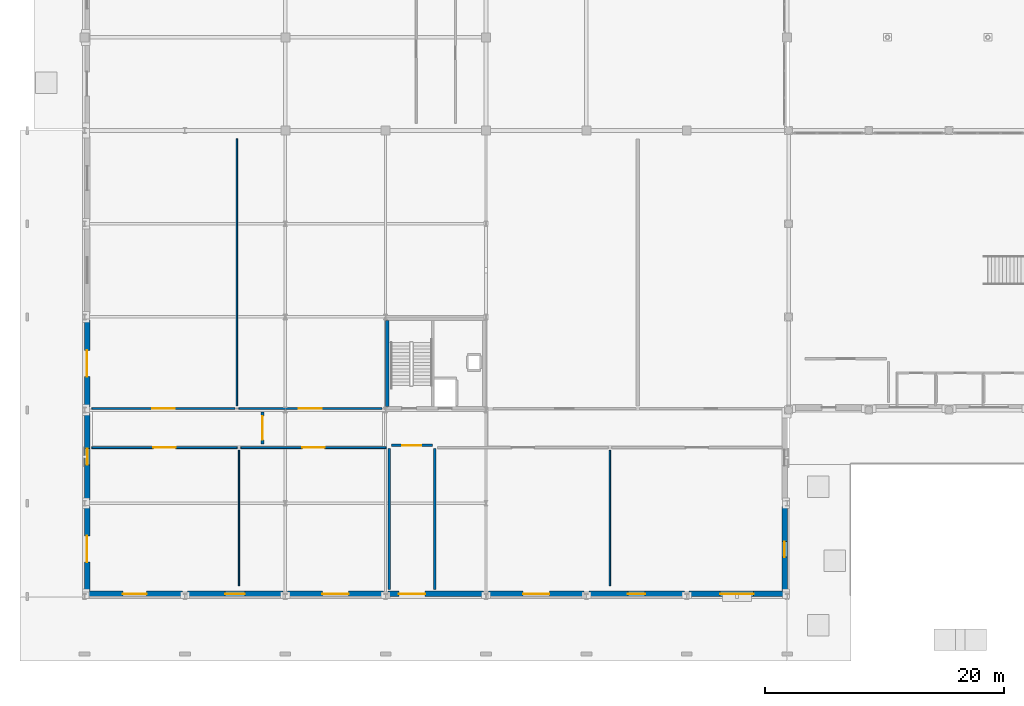
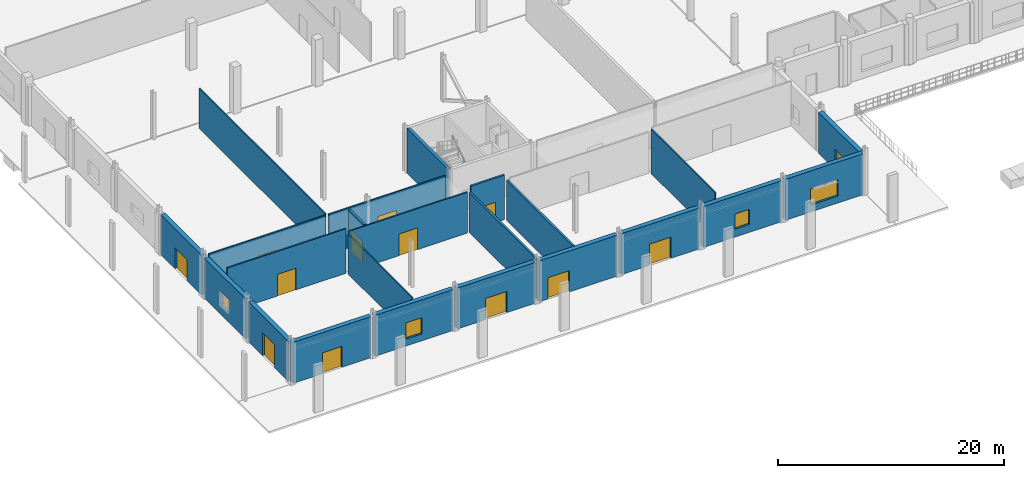
# One storey, part 46 of 80: 23 walls, 13 doors, 4 windows, 17 openings.
"""IFC4 building model written with IfcOpenShell, lengths in metres."""

from ifc_helpers import new_model, si_unit, direction, frame, frame_2d, origin, place, context, subcontext, project, spatial, rectangle, extrude, material, layer, layer_set, type_object, element, fill, save


model = new_model("IFC4")

# Units and contexts
model_context = context("Model", 3, precision=1e-05, world=origin(), true_north=direction((0.0, 1.0)))
body_context = subcontext(model_context, "Body", "Model", "MODEL_VIEW")
ifc_project = project(units=[si_unit("LENGTHUNIT", "METRE"), si_unit("AREAUNIT", "SQUARE_METRE"), si_unit("VOLUMEUNIT", "CUBIC_METRE"), si_unit("PLANEANGLEUNIT", "RADIAN"), si_unit("MASSUNIT", "GRAM", prefix="KILO")], contexts=[model_context])

# Site, building, storey
site_placement = place(None, origin())
site = spatial("IfcSite", under=ifc_project, at=site_placement, CompositionType="ELEMENT")
building_placement = place(site_placement, origin())
building = spatial("IfcBuilding", under=site, at=building_placement, Name="Nabrawat Pavilion Hospital", CompositionType="ELEMENT")
storey_placement = place(building_placement, origin())
storey = spatial("IfcBuildingStorey", under=building, at=storey_placement, Name="L00", CompositionType="ELEMENT", Elevation=0.0)

# Wall, opening, door
ifc_material_1 = material(Name="Gypsum Fireboard on Steel Stud", Category="steel")
ifc_layer_1 = layer(ifc_material_1, 0.14990234375, Name="Gypsum Fireboard on Steel Stud")
ifc_layer_set_1 = layer_set([ifc_layer_1], Name="Gypsum Fireboard on Steel Stud")
wall_type_1 = type_object("IfcWallType", Name="Clinical Corridor Smoke-Barrier Wall 150", PredefinedType="PARTITIONING", material=ifc_layer_set_1)
wall_1_placement = place(storey_placement, frame((0.6201171875, 12.4599609375, 0.0), z_axis=(0.0, 0.0, 1.0), x_axis=(1.0, 0.0, 0.0)))
wall_1 = element("IfcWall", 1, at=wall_1_placement, inside=storey, type_object=wall_type_1, Name="L00 Emergency Department Resuscitation Trauma Bay L00-01 Front Partition", PredefinedType="PARTITIONING", context=body_context, shape_type="SweptSolid", body=[
    extrude(rectangle(XDim=12.14990234375, YDim=0.14990234375, at=frame_2d((6.074951171875, 0.0))), origin(), (0.0, 0.0, 1.0), 4.820068359375),
])
opening_1_placement = place(wall_1_placement, frame((5.125, 0.0, 0.0)))
opening_1 = element("IfcOpeningElement", 2, at=opening_1_placement, cuts=wall_1, Name="Opening D-ED", PredefinedType="OPENING", context=body_context, shape_type="SweptSolid", body=[
    extrude(rectangle(XDim=1.89990234375, YDim=2.35009765625, at=frame_2d((0.949951171875, 1.175048828125))), frame((0.0, 0.0849609375, 0.0), z_axis=(0.0, -1.0, 0.0), x_axis=(1.0, 0.0, 0.0)), (0.0, 0.0, 1.0), 0.169921875),
])
ifc_material_2 = material(Name="Stainless-Clad Acoustic Timber and Vision Glass", Category="wood")
door_type_1 = type_object("IfcDoorType", Name="Emergency Trauma Bay Double Door 1900x2350", OperationType="NOTDEFINED", PredefinedType="DOOR", material=ifc_material_2)
door_1_placement = place(opening_1_placement, origin())
door_1 = element("IfcDoor", 3, at=door_1_placement, inside=storey, type_object=door_type_1, Name="Emergency Department Resuscitation Trauma Bay L00-01 Door", OperationType="DOUBLE_DOOR_SINGLE_SWING", OverallHeight=2.35009765625, OverallWidth=1.89990234375, PredefinedType="DOOR", context=body_context, shape_type="SweptSolid", body=[
    extrude(rectangle(XDim=1.89990234375, YDim=2.35009765625, at=frame_2d((0.949951171875, 1.175048828125))), frame((0.0, 0.02490234375, 0.0), z_axis=(0.0, -1.0, 0.0), x_axis=(1.0, 0.0, 0.0)), (0.0, 0.0, 1.0), 0.050048828125),
])
fill(opening_1, door_1)

wall_2_placement = place(storey_placement, frame((13.090087890625, 12.4599609375, 0.0), z_axis=(0.0, 0.0, 1.0), x_axis=(1.0, 0.0, 0.0)))
wall_2 = element("IfcWall", 4, at=wall_2_placement, inside=storey, type_object=wall_type_1, Name="L00 Emergency Department Ambulance Triage Room L00-02 Front Partition", PredefinedType="PARTITIONING", context=body_context, shape_type="SweptSolid", body=[
    extrude(rectangle(XDim=12.14990234375, YDim=0.14990234375, at=frame_2d((6.074951171875, 0.0))), origin(), (0.0, 0.0, 1.0), 4.429931640625),
])
opening_2_placement = place(wall_2_placement, frame((5.125, 0.0, 0.0)))
opening_2 = element("IfcOpeningElement", 5, at=opening_2_placement, cuts=wall_2, Name="Opening D-ED", PredefinedType="OPENING", context=body_context, shape_type="SweptSolid", body=[
    extrude(rectangle(XDim=1.89990234375, YDim=2.35009765625, at=frame_2d((0.949951171875, 1.175048828125))), frame((0.0, 0.0849609375, 0.0), z_axis=(0.0, -1.0, 0.0), x_axis=(1.0, 0.0, 0.0)), (0.0, 0.0, 1.0), 0.169921875),
])
door_2_placement = place(opening_2_placement, origin())
door_2 = element("IfcDoor", 6, at=door_2_placement, inside=storey, type_object=door_type_1, Name="Emergency Department Ambulance Triage Room L00-02 Door", OperationType="DOUBLE_DOOR_SINGLE_SWING", OverallHeight=2.35009765625, OverallWidth=1.89990234375, PredefinedType="DOOR", context=body_context, shape_type="SweptSolid", body=[
    extrude(rectangle(XDim=1.89990234375, YDim=2.35009765625, at=frame_2d((0.949951171875, 1.175048828125))), frame((0.0, 0.02490234375, 0.0), z_axis=(0.0, -1.0, 0.0), x_axis=(1.0, 0.0, 0.0)), (0.0, 0.0, 1.0), 0.050048828125),
])
fill(opening_2, door_2)

wall_3_placement = place(storey_placement, frame((0.6201171875, 15.739990234375, 0.0), z_axis=(0.0, 0.0, 1.0), x_axis=(1.0, 0.0, 0.0)))
wall_3 = element("IfcWall", 7, at=wall_3_placement, inside=storey, type_object=wall_type_1, Name="L00 Emergency Department Negative-Pressure Isolation Room L00-05 Front Partition", PredefinedType="PARTITIONING", context=body_context, shape_type="SweptSolid", body=[
    extrude(rectangle(XDim=11.969970703125, YDim=0.14990234375, at=frame_2d((5.98486328125, 0.0))), origin(), (0.0, 0.0, 1.0), 4.330078125),
])
opening_3_placement = place(wall_3_placement, frame((5.034912109375, 0.0, 0.0)))
opening_3 = element("IfcOpeningElement", 8, at=opening_3_placement, cuts=wall_3, Name="Opening D-ED", PredefinedType="OPENING", context=body_context, shape_type="SweptSolid", body=[
    extrude(rectangle(XDim=1.89990234375, YDim=2.35009765625, at=frame_2d((0.949951171875, 1.175048828125))), frame((0.0, 0.0849609375, 0.0), z_axis=(0.0, -1.0, 0.0), x_axis=(1.0, 0.0, 0.0)), (0.0, 0.0, 1.0), 0.169921875),
])
door_3_placement = place(opening_3_placement, origin())
door_3 = element("IfcDoor", 9, at=door_3_placement, inside=storey, type_object=door_type_1, Name="Emergency Department Negative-Pressure Isolation Room L00-05 Door", OperationType="DOUBLE_DOOR_SINGLE_SWING", OverallHeight=2.35009765625, OverallWidth=1.89990234375, PredefinedType="DOOR", context=body_context, shape_type="SweptSolid", body=[
    extrude(rectangle(XDim=1.89990234375, YDim=2.35009765625, at=frame_2d((0.949951171875, 1.175048828125))), frame((0.0, 0.02490234375, 0.0), z_axis=(0.0, -1.0, 0.0), x_axis=(1.0, 0.0, 0.0)), (0.0, 0.0, 1.0), 0.050048828125),
])
fill(opening_3, door_3)

wall_4_placement = place(storey_placement, frame((12.909912109375, 15.739990234375, 0.0), z_axis=(0.0, 0.0, 1.0), x_axis=(1.0, 0.0, 0.0)))
wall_4 = element("IfcWall", 10, at=wall_4_placement, inside=storey, type_object=wall_type_1, Name="L00 Emergency Department Decontamination Suite L00-06 Front Partition", PredefinedType="PARTITIONING", context=body_context, shape_type="SweptSolid", body=[
    extrude(rectangle(XDim=11.969970703125, YDim=0.14990234375, at=frame_2d((5.98486328125, 0.0))), origin(), (0.0, 0.0, 1.0), 4.330078125),
])
opening_4_placement = place(wall_4_placement, frame((5.034912109375, 0.0, 0.0)))
opening_4 = element("IfcOpeningElement", 11, at=opening_4_placement, cuts=wall_4, Name="Opening D-ED", PredefinedType="OPENING", context=body_context, shape_type="SweptSolid", body=[
    extrude(rectangle(XDim=1.89990234375, YDim=2.35009765625, at=frame_2d((0.949951171875, 1.175048828125))), frame((0.0, 0.0849609375, 0.0), z_axis=(0.0, -1.0, 0.0), x_axis=(1.0, 0.0, 0.0)), (0.0, 0.0, 1.0), 0.169921875),
])
door_4_placement = place(opening_4_placement, origin())
door_4 = element("IfcDoor", 12, at=door_4_placement, inside=storey, type_object=door_type_1, Name="Emergency Department Decontamination Suite L00-06 Door", OperationType="DOUBLE_DOOR_SINGLE_SWING", OverallHeight=2.35009765625, OverallWidth=1.89990234375, PredefinedType="DOOR", context=body_context, shape_type="SweptSolid", body=[
    extrude(rectangle(XDim=1.89990234375, YDim=2.35009765625, at=frame_2d((0.949951171875, 1.175048828125))), frame((0.0, 0.02490234375, 0.0), z_axis=(0.0, -1.0, 0.0), x_axis=(1.0, 0.0, 0.0)), (0.0, 0.0, 1.0), 0.050048828125),
])
fill(opening_4, door_4)

ifc_material_3 = material(Name="Precast concrete C40/50", Category="concrete")
ifc_layer_2 = layer(ifc_material_3, 0.4599609375, Name="Precast concrete C40/50")
ifc_layer_set_2 = layer_set([ifc_layer_2], Name="Precast concrete C40/50")
wall_type_2 = type_object("IfcWallType", Name="Emergency Blast-Resistant Precast Wall 460", PredefinedType="SOLIDWALL", material=ifc_layer_set_2)
wall_5_placement = place(storey_placement, frame((0.219970703125, 0.43994140625, 0.0), z_axis=(0.0, 0.0, 1.0), x_axis=(0.0, 1.0, 0.0)))
wall_5 = element("IfcWall", 13, at=wall_5_placement, inside=storey, type_object=wall_type_2, Name="L00 Emergency Blast-Resistant Precast Wall 460 085", PredefinedType="SOLIDWALL", context=body_context, shape_type="SweptSolid", body=[
    extrude(rectangle(XDim=7.090087890625, YDim=0.4599609375, at=frame_2d((3.544921875, 0.0))), origin(), (0.0, 0.0, 1.0), 4.330078125),
])
opening_5_placement = place(wall_5_placement, frame((2.445068359375, 0.0, 0.0)))
opening_5 = element("IfcOpeningElement", 14, at=opening_5_placement, cuts=wall_5, Name="Opening ED-AMB-220", PredefinedType="OPENING", context=body_context, shape_type="SweptSolid", body=[
    extrude(rectangle(XDim=2.199951171875, YDim=2.5, at=frame_2d((1.10009765625, 1.25))), frame((0.0, 0.239990234375, 0.0), z_axis=(0.0, -1.0, 0.0), x_axis=(1.0, 0.0, 0.0)), (0.0, 0.0, 1.0), 0.47998046875),
])
ifc_material_4 = material(Name="Powder-Coated Galvanised Steel and Safety Glass", Category="steel")
door_type_2 = type_object("IfcDoorType", Name="Ambulance Trauma Double Automatic Door 2200x2500", OperationType="DOUBLE_DOOR_SLIDING", PredefinedType="DOOR", material=ifc_material_4)
door_5_placement = place(opening_5_placement, origin())
door_5 = element("IfcDoor", 15, at=door_5_placement, inside=storey, type_object=door_type_2, Name="L00 Perimeter Final Exit Door 02", OperationType="DOUBLE_DOOR_SLIDING", OverallHeight=2.5, OverallWidth=2.199951171875, PredefinedType="DOOR", context=body_context, shape_type="SweptSolid", body=[
    extrude(rectangle(XDim=2.199951171875, YDim=2.5, at=frame_2d((1.10009765625, 1.25))), frame((0.0, 0.02490234375, 0.0), z_axis=(0.0, -1.0, 0.0), x_axis=(1.0, 0.0, 0.0)), (0.0, 0.0, 1.0), 0.050048828125),
])
fill(opening_5, door_5)

# Wall, opening, window
wall_6_placement = place(storey_placement, frame((0.219970703125, 8.070068359375, 0.0), z_axis=(0.0, 0.0, 1.0), x_axis=(0.0, 1.0, 0.0)))
wall_6 = element("IfcWall", 16, at=wall_6_placement, inside=storey, type_object=wall_type_2, Name="L00 Emergency Blast-Resistant Precast Wall 460 086", PredefinedType="SOLIDWALL", context=body_context, shape_type="SweptSolid", body=[
    extrude(rectangle(XDim=7.260009765625, YDim=0.4599609375, at=frame_2d((3.6298828125, 0.0))), origin(), (0.0, 0.0, 1.0), 4.330078125),
])
opening_6_placement = place(wall_6_placement, frame((2.955078125, 0.0, 1.0)))
opening_6 = element("IfcOpeningElement", 17, at=opening_6_placement, cuts=wall_6, Name="Opening WN-10", PredefinedType="OPENING", context=body_context, shape_type="SweptSolid", body=[
    extrude(rectangle(XDim=1.35009765625, YDim=1.449951171875, at=frame_2d((0.675048828125, 0.72509765625))), frame((0.0, 0.239990234375, 0.0), z_axis=(0.0, -1.0, 0.0), x_axis=(1.0, 0.0, 0.0)), (0.0, 0.0, 1.0), 0.47998046875),
])
ifc_material_5 = material(Name="Thermally Broken Aluminium and Solar Glass", Category="aluminium")
window_type_1 = type_object("IfcWindowType", Name="Diagnostic Reporting Room Window 1350x1450", PartitioningType="SINGLE_PANEL", PredefinedType="WINDOW", material=ifc_material_5)
window_1_placement = place(opening_6_placement, origin())
window_1 = element("IfcWindow", 18, at=window_1_placement, inside=storey, type_object=window_type_1, Name="L00 Diagnostic Reporting Room Window 1350x1450 010", OverallHeight=1.449951171875, OverallWidth=1.35009765625, PartitioningType="SINGLE_PANEL", PredefinedType="WINDOW", context=body_context, shape_type="SweptSolid", body=[
    extrude(rectangle(XDim=1.35009765625, YDim=1.449951171875, at=frame_2d((0.675048828125, 0.72509765625))), frame((0.0, 0.030029296875, 0.0), z_axis=(0.0, -1.0, 0.0), x_axis=(1.0, 0.0, 0.0)), (0.0, 0.0, 1.0), 0.06005859375),
])
fill(opening_6, window_1)

# Wall, opening, door
wall_7_placement = place(storey_placement, frame((0.219970703125, 15.8701171875, 0.0), z_axis=(0.0, 0.0, 1.0), x_axis=(0.0, 1.0, 0.0)))
wall_7 = element("IfcWall", 19, at=wall_7_placement, inside=storey, type_object=wall_type_2, Name="L00 Emergency Blast-Resistant Precast Wall 460 087", PredefinedType="SOLIDWALL", context=body_context, shape_type="SweptSolid", body=[
    extrude(rectangle(XDim=7.259765625, YDim=0.4599609375, at=frame_2d((3.6298828125, 0.0))), origin(), (0.0, 0.0, 1.0), 4.330078125),
])
opening_7_placement = place(wall_7_placement, frame((2.530029296875, 0.0, 0.0)))
opening_7 = element("IfcOpeningElement", 20, at=opening_7_placement, cuts=wall_7, Name="Opening ED-EXIT-220", PredefinedType="OPENING", context=body_context, shape_type="SweptSolid", body=[
    extrude(rectangle(XDim=2.199951171875, YDim=2.300048828125, at=frame_2d((1.10009765625, 1.14990234375))), frame((0.0, 0.239990234375, 0.0), z_axis=(0.0, -1.0, 0.0), x_axis=(1.0, 0.0, 0.0)), (0.0, 0.0, 1.0), 0.47998046875),
])
door_type_3 = type_object("IfcDoorType", Name="Perimeter Double Final-Exit Door 2200x2300", OperationType="NOTDEFINED", PredefinedType="DOOR", material=ifc_material_4)
door_6_placement = place(opening_7_placement, origin())
door_6 = element("IfcDoor", 21, at=door_6_placement, inside=storey, type_object=door_type_3, Name="L00 Perimeter Final Exit Door 03", OperationType="DOUBLE_DOOR_SINGLE_SWING", OverallHeight=2.300048828125, OverallWidth=2.199951171875, PredefinedType="DOOR", context=body_context, shape_type="SweptSolid", body=[
    extrude(rectangle(XDim=2.199951171875, YDim=2.300048828125, at=frame_2d((1.10009765625, 1.14990234375))), frame((0.0, 0.02490234375, 0.0), z_axis=(0.0, -1.0, 0.0), x_axis=(1.0, 0.0, 0.0)), (0.0, 0.0, 1.0), 0.050048828125),
])
fill(opening_7, door_6)

wall_8_placement = place(storey_placement, frame((0.199951171875, 0.219970703125, 0.0), z_axis=(0.0, 0.0, 1.0), x_axis=(1.0, 0.0, 0.0)))
wall_8 = element("IfcWall", 22, at=wall_8_placement, inside=storey, type_object=wall_type_2, Name="L00 Emergency Blast-Resistant Precast Wall 460 090", PredefinedType="SOLIDWALL", context=body_context, shape_type="SweptSolid", body=[
    extrude(rectangle(XDim=8.0, YDim=0.4599609375, at=frame_2d((4.0, 0.0))), origin(), (0.0, 0.0, 1.0), 4.43994140625),
])
opening_8_placement = place(wall_8_placement, frame((3.0, 0.0, 0.0)))
opening_8 = element("IfcOpeningElement", 23, at=opening_8_placement, cuts=wall_8, Name="Opening ED-EXIT-200", PredefinedType="OPENING", context=body_context, shape_type="SweptSolid", body=[
    extrude(rectangle(XDim=2.0, YDim=2.25, at=frame_2d((1.0, 1.125))), frame((0.0, 0.239990234375, 0.0), z_axis=(0.0, -1.0, 0.0), x_axis=(1.0, 0.0, 0.0)), (0.0, 0.0, 1.0), 0.47998046875),
])
door_type_4 = type_object("IfcDoorType", Name="Secondary Final-Exit Double Door 2000x2250", OperationType="NOTDEFINED", PredefinedType="DOOR", material=ifc_material_4)
door_7_placement = place(opening_8_placement, frame((2.0, 0.0, 0.0), z_axis=(0.0, 0.0, 1.0), x_axis=(-1.0, 0.0, 0.0)))
door_7 = element("IfcDoor", 24, at=door_7_placement, inside=storey, type_object=door_type_4, Name="L00 Perimeter Final Exit Door 04", OperationType="DOUBLE_DOOR_SINGLE_SWING", OverallHeight=2.25, OverallWidth=2.0, PredefinedType="DOOR", context=body_context, shape_type="SweptSolid", body=[
    extrude(rectangle(XDim=2.0, YDim=2.25, at=frame_2d((1.0, 1.125))), frame((0.0, 0.02490234375, 0.0), z_axis=(0.0, -1.0, 0.0), x_axis=(1.0, 0.0, 0.0)), (0.0, 0.0, 1.0), 0.050048828125),
])
fill(opening_8, door_7)

# Wall, opening, window
wall_9_placement = place(storey_placement, frame((8.60009765625, 0.219970703125, 0.0), z_axis=(0.0, 0.0, 1.0), x_axis=(1.0, 0.0, 0.0)))
wall_9 = element("IfcWall", 25, at=wall_9_placement, inside=storey, type_object=wall_type_2, Name="L00 Emergency Blast-Resistant Precast Wall 460 091", PredefinedType="SOLIDWALL", context=body_context, shape_type="SweptSolid", body=[
    extrude(rectangle(XDim=8.0, YDim=0.4599609375, at=frame_2d((4.0, 0.0))), origin(), (0.0, 0.0, 1.0), 4.429931640625),
])
opening_9_placement = place(wall_9_placement, frame((3.175048828125, 0.0, 0.75)))
opening_9 = element("IfcOpeningElement", 26, at=opening_9_placement, cuts=wall_9, Name="Opening WN-13", PredefinedType="OPENING", context=body_context, shape_type="SweptSolid", body=[
    extrude(rectangle(XDim=1.64990234375, YDim=1.75, at=frame_2d((0.824951171875, 0.875))), frame((0.0, 0.239990234375, 0.0), z_axis=(0.0, -1.0, 0.0), x_axis=(1.0, 0.0, 0.0)), (0.0, 0.0, 1.0), 0.47998046875),
])
window_type_2 = type_object("IfcWindowType", Name="Paediatric Ward Low-Sill Window 1650x1750", PartitioningType="SINGLE_PANEL", PredefinedType="WINDOW", material=ifc_material_5)
window_2_placement = place(opening_9_placement, origin())
window_2 = element("IfcWindow", 27, at=window_2_placement, inside=storey, type_object=window_type_2, Name="L00 Paediatric Ward Low-Sill Window 1650x1750 013", OverallHeight=1.75, OverallWidth=1.64990234375, PartitioningType="SINGLE_PANEL", PredefinedType="WINDOW", context=body_context, shape_type="SweptSolid", body=[
    extrude(rectangle(XDim=1.64990234375, YDim=1.75, at=frame_2d((0.824951171875, 0.875))), frame((0.0, 0.030029296875, 0.0), z_axis=(0.0, -1.0, 0.0), x_axis=(1.0, 0.0, 0.0)), (0.0, 0.0, 1.0), 0.06005859375),
])
fill(opening_9, window_2)

# Wall, opening, door
wall_10_placement = place(storey_placement, frame((17.0, 0.219970703125, 0.0), z_axis=(0.0, 0.0, 1.0), x_axis=(1.0, 0.0, 0.0)))
wall_10 = element("IfcWall", 28, at=wall_10_placement, inside=storey, type_object=wall_type_2, Name="L00 Emergency Blast-Resistant Precast Wall 460 092", PredefinedType="SOLIDWALL", context=body_context, shape_type="SweptSolid", body=[
    extrude(rectangle(XDim=8.0, YDim=0.4599609375, at=frame_2d((4.0, 0.0))), origin(), (0.0, 0.0, 1.0), 4.429931640625),
])
opening_10_placement = place(wall_10_placement, frame((2.89990234375, 0.0, 0.0)))
opening_10 = element("IfcOpeningElement", 29, at=opening_10_placement, cuts=wall_10, Name="Opening ED-EXIT-220", PredefinedType="OPENING", context=body_context, shape_type="SweptSolid", body=[
    extrude(rectangle(XDim=2.199951171875, YDim=2.300048828125, at=frame_2d((1.10009765625, 1.14990234375))), frame((0.0, 0.239990234375, 0.0), z_axis=(0.0, -1.0, 0.0), x_axis=(1.0, 0.0, 0.0)), (0.0, 0.0, 1.0), 0.47998046875),
])
door_8_placement = place(opening_10_placement, frame((2.199951171875, 0.0, 0.0), z_axis=(0.0, 0.0, 1.0), x_axis=(-1.0, 0.0, 0.0)))
door_8 = element("IfcDoor", 30, at=door_8_placement, inside=storey, type_object=door_type_3, Name="L00 Perimeter Final Exit Door 05", OperationType="DOUBLE_DOOR_SINGLE_SWING", OverallHeight=2.300048828125, OverallWidth=2.199951171875, PredefinedType="DOOR", context=body_context, shape_type="SweptSolid", body=[
    extrude(rectangle(XDim=2.199951171875, YDim=2.300048828125, at=frame_2d((1.10009765625, 1.14990234375))), frame((0.0, 0.02490234375, 0.0), z_axis=(0.0, -1.0, 0.0), x_axis=(1.0, 0.0, 0.0)), (0.0, 0.0, 1.0), 0.050048828125),
])
fill(opening_10, door_8)

wall_11_placement = place(storey_placement, frame((25.39990234375, 0.219970703125, 0.0), z_axis=(0.0, 0.0, 1.0), x_axis=(1.0, 0.0, 0.0)))
wall_11 = element("IfcWall", 31, at=wall_11_placement, inside=storey, type_object=wall_type_2, Name="L00 Emergency Blast-Resistant Precast Wall 460 093", PredefinedType="SOLIDWALL", context=body_context, shape_type="SweptSolid", body=[
    extrude(rectangle(XDim=8.0, YDim=0.4599609375, at=frame_2d((4.0, 0.0))), origin(), (0.0, 0.0, 1.0), 4.429931640625),
])
opening_11_placement = place(wall_11_placement, frame((0.89990234375, 0.0, 0.0)))
opening_11 = element("IfcOpeningElement", 32, at=opening_11_placement, cuts=wall_11, Name="Opening ED-EXIT-220", PredefinedType="OPENING", context=body_context, shape_type="SweptSolid", body=[
    extrude(rectangle(XDim=2.199951171875, YDim=2.300048828125, at=frame_2d((1.10009765625, 1.14990234375))), frame((0.0, 0.239990234375, 0.0), z_axis=(0.0, -1.0, 0.0), x_axis=(1.0, 0.0, 0.0)), (0.0, 0.0, 1.0), 0.47998046875),
])
door_9_placement = place(opening_11_placement, frame((2.199951171875, 0.0, 0.0), z_axis=(0.0, 0.0, 1.0), x_axis=(-1.0, 0.0, 0.0)))
door_9 = element("IfcDoor", 33, at=door_9_placement, inside=storey, type_object=door_type_3, Name="L00 ST-01 Protected Exit Discharge Final Exit Door", OperationType="DOUBLE_DOOR_SINGLE_SWING", OverallHeight=2.300048828125, OverallWidth=2.199951171875, PredefinedType="DOOR", context=body_context, shape_type="SweptSolid", body=[
    extrude(rectangle(XDim=2.199951171875, YDim=2.300048828125, at=frame_2d((1.10009765625, 1.14990234375))), frame((0.0, 0.02490234375, 0.0), z_axis=(0.0, -1.0, 0.0), x_axis=(1.0, 0.0, 0.0)), (0.0, 0.0, 1.0), 0.050048828125),
])
fill(opening_11, door_9)

wall_12_placement = place(storey_placement, frame((33.800048828125, 0.219970703125, 0.0), z_axis=(0.0, 0.0, 1.0), x_axis=(1.0, 0.0, 0.0)))
wall_12 = element("IfcWall", 34, at=wall_12_placement, inside=storey, type_object=wall_type_2, Name="L00 Emergency Blast-Resistant Precast Wall 460 094", PredefinedType="SOLIDWALL", context=body_context, shape_type="SweptSolid", body=[
    extrude(rectangle(XDim=8.0, YDim=0.4599609375, at=frame_2d((4.0, 0.0))), origin(), (0.0, 0.0, 1.0), 4.429931640625),
])
opening_12_placement = place(wall_12_placement, frame((2.89990234375, 0.0, 0.0)))
opening_12 = element("IfcOpeningElement", 35, at=opening_12_placement, cuts=wall_12, Name="Opening ED-EXIT-220", PredefinedType="OPENING", context=body_context, shape_type="SweptSolid", body=[
    extrude(rectangle(XDim=2.199951171875, YDim=2.300048828125, at=frame_2d((1.10009765625, 1.14990234375))), frame((0.0, 0.239990234375, 0.0), z_axis=(0.0, -1.0, 0.0), x_axis=(1.0, 0.0, 0.0)), (0.0, 0.0, 1.0), 0.47998046875),
])
door_10_placement = place(opening_12_placement, frame((2.199951171875, 0.0, 0.0), z_axis=(0.0, 0.0, 1.0), x_axis=(-1.0, 0.0, 0.0)))
door_10 = element("IfcDoor", 36, at=door_10_placement, inside=storey, type_object=door_type_3, Name="L00 Perimeter Final Exit Door 07", OperationType="DOUBLE_DOOR_SINGLE_SWING", OverallHeight=2.300048828125, OverallWidth=2.199951171875, PredefinedType="DOOR", context=body_context, shape_type="SweptSolid", body=[
    extrude(rectangle(XDim=2.199951171875, YDim=2.300048828125, at=frame_2d((1.10009765625, 1.14990234375))), frame((0.0, 0.02490234375, 0.0), z_axis=(0.0, -1.0, 0.0), x_axis=(1.0, 0.0, 0.0)), (0.0, 0.0, 1.0), 0.050048828125),
])
fill(opening_12, door_10)

# Wall, opening, window
wall_13_placement = place(storey_placement, frame((42.199951171875, 0.219970703125, 0.0), z_axis=(0.0, 0.0, 1.0), x_axis=(1.0, 0.0, 0.0)))
wall_13 = element("IfcWall", 37, at=wall_13_placement, inside=storey, type_object=wall_type_2, Name="L00 Emergency Blast-Resistant Precast Wall 460 095", PredefinedType="SOLIDWALL", context=body_context, shape_type="SweptSolid", body=[
    extrude(rectangle(XDim=8.0, YDim=0.4599609375, at=frame_2d((4.0, 0.0))), origin(), (0.0, 0.0, 1.0), 4.43994140625),
])
opening_13_placement = place(wall_13_placement, frame((3.27490234375, 0.0, 0.85009765625)))
opening_13 = element("IfcOpeningElement", 38, at=opening_13_placement, cuts=wall_13, Name="Opening WN-14", PredefinedType="OPENING", context=body_context, shape_type="SweptSolid", body=[
    extrude(rectangle(XDim=1.449951171875, YDim=1.64990234375, at=frame_2d((0.72509765625, 0.824951171875))), frame((0.0, 0.239990234375, 0.0), z_axis=(0.0, -1.0, 0.0), x_axis=(1.0, 0.0, 0.0)), (0.0, 0.0, 1.0), 0.47998046875),
])
window_type_3 = type_object("IfcWindowType", Name="Oncology Protective Ward Window 1450x1650", PartitioningType="SINGLE_PANEL", PredefinedType="WINDOW", material=ifc_material_5)
window_3_placement = place(opening_13_placement, origin())
window_3 = element("IfcWindow", 39, at=window_3_placement, inside=storey, type_object=window_type_3, Name="L00 Oncology Protective Ward Window 1450x1650 014", OverallHeight=1.64990234375, OverallWidth=1.449951171875, PartitioningType="SINGLE_PANEL", PredefinedType="WINDOW", context=body_context, shape_type="SweptSolid", body=[
    extrude(rectangle(XDim=1.449951171875, YDim=1.64990234375, at=frame_2d((0.72509765625, 0.824951171875))), frame((0.0, 0.030029296875, 0.0), z_axis=(0.0, -1.0, 0.0), x_axis=(1.0, 0.0, 0.0)), (0.0, 0.0, 1.0), 0.06005859375),
])
fill(opening_13, window_3)

wall_14_placement = place(storey_placement, frame((50.60009765625, 0.219970703125, 0.0), z_axis=(0.0, 0.0, 1.0), x_axis=(1.0, 0.0, 0.0)))
wall_14 = element("IfcWall", 40, at=wall_14_placement, inside=storey, type_object=wall_type_2, Name="L00 Emergency Blast-Resistant Precast Wall 460 096", PredefinedType="SOLIDWALL", context=body_context, shape_type="SweptSolid", body=[
    extrude(rectangle(XDim=8.0, YDim=0.4599609375, at=frame_2d((4.0, 0.0))), origin(), (0.0, 0.0, 1.0), 4.43994140625),
])
opening_14_placement = place(wall_14_placement, frame((2.60009765625, 0.0, 0.75)))
opening_14 = element("IfcOpeningElement", 41, at=opening_14_placement, cuts=wall_14, Name="Opening WN-15", PredefinedType="OPENING", context=body_context, shape_type="SweptSolid", body=[
    extrude(rectangle(XDim=2.800048828125, YDim=1.75, at=frame_2d((1.39990234375, 0.875))), frame((0.0, 0.239990234375, 0.0), z_axis=(0.0, -1.0, 0.0), x_axis=(1.0, 0.0, 0.0)), (0.0, 0.0, 1.0), 0.47998046875),
])
window_type_4 = type_object("IfcWindowType", Name="Neurology Rehab Lounge Window 2800x1750", PartitioningType="SINGLE_PANEL", PredefinedType="WINDOW", material=ifc_material_5)
window_4_placement = place(opening_14_placement, origin())
window_4 = element("IfcWindow", 42, at=window_4_placement, inside=storey, type_object=window_type_4, Name="L00 Neurology Rehab Lounge Window 2800x1750 015", OverallHeight=1.75, OverallWidth=2.800048828125, PartitioningType="SINGLE_PANEL", PredefinedType="WINDOW", context=body_context, shape_type="SweptSolid", body=[
    extrude(rectangle(XDim=2.800048828125, YDim=1.75, at=frame_2d((1.39990234375, 0.875))), frame((0.0, 0.030029296875, 0.0), z_axis=(0.0, -1.0, 0.0), x_axis=(1.0, 0.0, 0.0)), (0.0, 0.0, 1.0), 0.06005859375),
])
fill(opening_14, window_4)

# Wall, opening, door
wall_15_placement = place(storey_placement, frame((58.580078125, 0.43994140625, 0.0), z_axis=(0.0, 0.0, 1.0), x_axis=(0.0, 1.0, 0.0)))
wall_15 = element("IfcWall", 43, at=wall_15_placement, inside=storey, type_object=wall_type_2, Name="L00 Emergency Blast-Resistant Precast Wall 460 114", PredefinedType="SOLIDWALL", context=body_context, shape_type="SweptSolid", body=[
    extrude(rectangle(XDim=7.090087890625, YDim=0.4599609375, at=frame_2d((3.544921875, 0.0))), origin(), (0.0, 0.0, 1.0), 4.43994140625),
])
opening_15_placement = place(wall_15_placement, frame((2.860107421875, 0.0, 0.0)))
opening_15 = element("IfcOpeningElement", 44, at=opening_15_placement, cuts=wall_15, Name="Opening ED-EXIT-130", PredefinedType="OPENING", context=body_context, shape_type="SweptSolid", body=[
    extrude(rectangle(XDim=1.300048828125, YDim=2.199951171875, at=frame_2d((0.64990234375, 1.10009765625))), frame((0.0, 0.239990234375, 0.0), z_axis=(0.0, -1.0, 0.0), x_axis=(1.0, 0.0, 0.0)), (0.0, 0.0, 1.0), 0.47998046875),
])
door_type_5 = type_object("IfcDoorType", Name="Protected Stair Direct Final-Exit Door 1300x2200", OperationType="NOTDEFINED", PredefinedType="DOOR", material=ifc_material_4)
door_11_placement = place(opening_15_placement, frame((1.300048828125, 0.0, 0.0), z_axis=(0.0, 0.0, 1.0), x_axis=(-1.0, 0.0, 0.0)))
door_11 = element("IfcDoor", 45, at=door_11_placement, inside=storey, type_object=door_type_5, Name="L00 Forecourt West Walkway Emergency Exit Door", OperationType="SINGLE_SWING_LEFT", OverallHeight=2.199951171875, OverallWidth=1.300048828125, PredefinedType="DOOR", context=body_context, shape_type="SweptSolid", body=[
    extrude(rectangle(XDim=1.300048828125, YDim=2.199951171875, at=frame_2d((0.64990234375, 1.10009765625))), frame((0.0, 0.02490234375, 0.0), z_axis=(0.0, -1.0, 0.0), x_axis=(1.0, 0.0, 0.0)), (0.0, 0.0, 1.0), 0.050048828125),
])
fill(opening_15, door_11)

# Walls
ifc_material_6 = material(Name="Concrete C35/45", Category="concrete")
ifc_layer_3 = layer(ifc_material_6, 0.199951171875, Name="Concrete C35/45")
ifc_layer_set_3 = layer_set([ifc_layer_3], Name="Concrete C35/45")
wall_type_3 = type_object("IfcWallType", Name="Firefighting Lobby Compartment Wall 200", PredefinedType="PARTITIONING", material=ifc_layer_set_3)
for number, where, z_axis, x_axis, name in (
    (46, (25.5, 0.60009765625, 0.0), (0.0, 0.0, 1.0), (0.0, 1.0, 0.0), "L00 ST-01 Protected Exit Passage West Fire Wall 1"),
    (47, (29.300048828125, 0.60009765625, 0.0), (0.0, 0.0, 1.0), (0.0, 1.0, 0.0), "L00 ST-01 Protected Exit Passage East Fire Wall 1"),
):
    element("IfcWall", number, at=place(storey_placement, frame(where, z_axis=z_axis, x_axis=x_axis)), inside=storey, type_object=wall_type_3, Name=name, PredefinedType="PARTITIONING", context=body_context, shape_type="SweptSolid", body=[
        extrude(rectangle(XDim=11.7998046875, YDim=0.199951171875, at=frame_2d((5.89990234375, 0.0))), origin(), (0.0, 0.0, 1.0), 4.330078125),
    ])

# Wall, opening, door
wall_16_placement = place(storey_placement, frame((25.679931640625, 12.64990234375, 0.0), z_axis=(0.0, 0.0, 1.0), x_axis=(1.0, 0.0, 0.0)))
wall_16 = element("IfcWall", 48, at=wall_16_placement, inside=storey, type_object=wall_type_3, Name="L00 ST-01 Protected Exit Passage North Fire Wall 1", PredefinedType="PARTITIONING", context=body_context, shape_type="SweptSolid", body=[
    extrude(rectangle(XDim=3.440185546875, YDim=0.199951171875, at=frame_2d((1.72021484375, 0.0))), origin(), (0.0, 0.0, 1.0), 4.820068359375),
])
opening_16_placement = place(wall_16_placement, frame((0.919921875, 0.0, 0.0)))
opening_16 = element("IfcOpeningElement", 49, at=opening_16_placement, cuts=wall_16, Name="Opening D-FFL", PredefinedType="OPENING", context=body_context, shape_type="SweptSolid", body=[
    extrude(rectangle(XDim=1.60009765625, YDim=2.199951171875, at=frame_2d((0.800048828125, 1.10009765625))), frame((0.0, 0.10986328125, 0.0), z_axis=(0.0, -1.0, 0.0), x_axis=(1.0, 0.0, 0.0)), (0.0, 0.0, 1.0), 0.219970703125),
])
door_type_6 = type_object("IfcDoorType", Name="D-FFL Firefighting Lobby Double Smoke Door 1600x2200", OperationType="NOTDEFINED", PredefinedType="DOOR", material=ifc_material_2)
door_12_placement = place(opening_16_placement, frame((1.60009765625, 0.0, 0.0), z_axis=(0.0, 0.0, 1.0), x_axis=(-1.0, 0.0, 0.0)))
door_12 = element("IfcDoor", 50, at=door_12_placement, inside=storey, type_object=door_type_6, Name="L00 ST-01 Protected Exit Passage Entry Fire Door", OperationType="DOUBLE_DOOR_SINGLE_SWING", OverallHeight=2.199951171875, OverallWidth=1.60009765625, PredefinedType="DOOR", context=body_context, shape_type="SweptSolid", body=[
    extrude(rectangle(XDim=1.60009765625, YDim=2.199951171875, at=frame_2d((0.800048828125, 1.10009765625))), frame((0.0, 0.02490234375, 0.0), z_axis=(0.0, -1.0, 0.0), x_axis=(1.0, 0.0, 0.0)), (0.0, 0.0, 1.0), 0.050048828125),
])
fill(opening_16, door_12)

ifc_layer_4 = layer(ifc_material_6, 0.239990234375, Name="Concrete C35/45")
ifc_layer_set_4 = layer_set([ifc_layer_4], Name="Concrete C35/45")
wall_type_4 = type_object("IfcWallType", Name="Major Sector Fire Compartment Wall 240", PredefinedType="PARTITIONING", material=ifc_layer_set_4)
wall_17_placement = place(storey_placement, frame((14.89990234375, 12.760009765625, 0.0), z_axis=(0.0, 0.0, 1.0), x_axis=(0.0, 1.0, 0.0)))
wall_17 = element("IfcWall", 51, at=wall_17_placement, inside=storey, type_object=wall_type_4, Name="L00 Cross-Corridor Smoke Compartment Wall", PredefinedType="PARTITIONING", context=body_context, shape_type="SweptSolid", body=[
    extrude(rectangle(XDim=2.679931640625, YDim=0.239990234375, at=frame_2d((1.33984375, 0.0))), origin(), (0.0, 0.0, 1.0), 4.330078125),
])
opening_17_placement = place(wall_17_placement, frame((0.340087890625, 0.0, 0.0)))
opening_17 = element("IfcOpeningElement", 52, at=opening_17_placement, cuts=wall_17, Name="Opening D-SMOKE", PredefinedType="OPENING", context=body_context, shape_type="SweptSolid", body=[
    extrude(rectangle(XDim=2.0, YDim=2.300048828125, at=frame_2d((1.0, 1.14990234375))), frame((0.0, 0.1298828125, 0.0), z_axis=(0.0, -1.0, 0.0), x_axis=(1.0, 0.0, 0.0)), (0.0, 0.0, 1.0), 0.260009765625),
])
door_type_7 = type_object("IfcDoorType", Name="D-SMOKE Corridor Hold-Open Smoke Door 2000x2300", OperationType="NOTDEFINED", PredefinedType="DOOR", material=ifc_material_2)
door_13_placement = place(opening_17_placement, origin())
door_13 = element("IfcDoor", 53, at=door_13_placement, inside=storey, type_object=door_type_7, Name="L00 Cross-Corridor Hold-Open Smoke Door", OperationType="DOUBLE_SWING_LEFT", OverallHeight=2.300048828125, OverallWidth=2.0, PredefinedType="DOOR", context=body_context, shape_type="SweptSolid", body=[
    extrude(rectangle(XDim=2.0, YDim=2.300048828125, at=frame_2d((1.0, 1.14990234375))), frame((0.0, 0.02490234375, 0.0), z_axis=(0.0, -1.0, 0.0), x_axis=(1.0, 0.0, 0.0)), (0.0, 0.0, 1.0), 0.050048828125),
])
fill(opening_17, door_13)

# Walls
ifc_material_7 = material(Name="Gypsum Plasterboard on Stud", Category="gypsum")
ifc_layer_5 = layer(ifc_material_7, 0.1201171875, Name="Gypsum Plasterboard on Stud")
ifc_layer_set_5 = layer_set([ifc_layer_5], Name="Gypsum Plasterboard on Stud")
wall_type_5 = type_object("IfcWallType", Name="Outpatient Consultation Partition 120", PredefinedType="PARTITIONING", material=ifc_layer_set_5)
wall_18_placement = place(storey_placement, frame((12.929931640625, 0.889892578125, 0.0), z_axis=(0.0, 0.0, 1.0), x_axis=(0.0, 1.0, 0.0)))
element("IfcWall", 54, at=wall_18_placement, inside=storey, type_object=wall_type_5, Name="L00 Emergency Department Resuscitation Trauma Bay L00-01 Dividing Partition", PredefinedType="PARTITIONING", context=body_context, shape_type="SweptSolid", body=[
    extrude(rectangle(XDim=11.35009765625, YDim=0.1201171875, at=frame_2d((5.675048828125, 0.0))), origin(), (0.0, 0.0, 1.0), 4.330078125),
])
wall_19_placement = place(storey_placement, frame((43.969970703125, 0.889892578125, 0.0), z_axis=(0.0, 0.0, 1.0), x_axis=(0.0, 1.0, 0.0)))
element("IfcWall", 55, at=wall_19_placement, inside=storey, type_object=wall_type_5, Name="L00 Emergency Department Acute Treatment Cubicle L00-03 Dividing Partition", PredefinedType="PARTITIONING", context=body_context, shape_type="SweptSolid", body=[
    extrude(rectangle(XDim=11.35009765625, YDim=0.1201171875, at=frame_2d((5.675048828125, 0.0))), origin(), (0.0, 0.0, 1.0), 4.820068359375),
])
wall_20_placement = place(storey_placement, frame((12.75, 15.9599609375, 0.0), z_axis=(0.0, 0.0, 1.0), x_axis=(0.0, 1.0, 0.0)))
element("IfcWall", 56, at=wall_20_placement, inside=storey, type_object=wall_type_5, Name="L00 Emergency Department Negative-Pressure Isolation Room L00-05 Dividing Partition", PredefinedType="PARTITIONING", context=body_context, shape_type="SweptSolid", body=[
    extrude(rectangle(XDim=22.35009765625, YDim=0.1201171875, at=frame_2d((11.175048828125, 0.0))), origin(), (0.0, 0.0, 1.0), 4.330078125),
])
ifc_material_8 = material(Name="Concrete C40/50", Category="concrete")
ifc_layer_6 = layer(ifc_material_8, 0.300048828125, Name="Concrete C40/50")
ifc_layer_set_6 = layer_set([ifc_layer_6], Name="Concrete C40/50")
wall_type_6 = type_object("IfcWallType", Name="Reinforced Concrete Core Shear Wall 300", PredefinedType="SHEAR", material=ifc_layer_set_6)
wall_21_placement = place(storey_placement, frame((25.35009765625, 15.89990234375, 0.0), z_axis=(0.0, 0.0, 1.0), x_axis=(0.0, 1.0, 0.0)))
element("IfcWall", 57, at=wall_21_placement, inside=storey, type_object=wall_type_6, Name="L00 CORE-1 West Core Shear Wall", PredefinedType="SHEAR", context=body_context, shape_type="SweptSolid", body=[
    extrude(rectangle(XDim=7.2001953125, YDim=0.300048828125, at=frame_2d((3.60009765625, 0.0))), origin(), (0.0, 0.0, 1.0), 4.85009765625),
])

save(model, "model.ifc")
